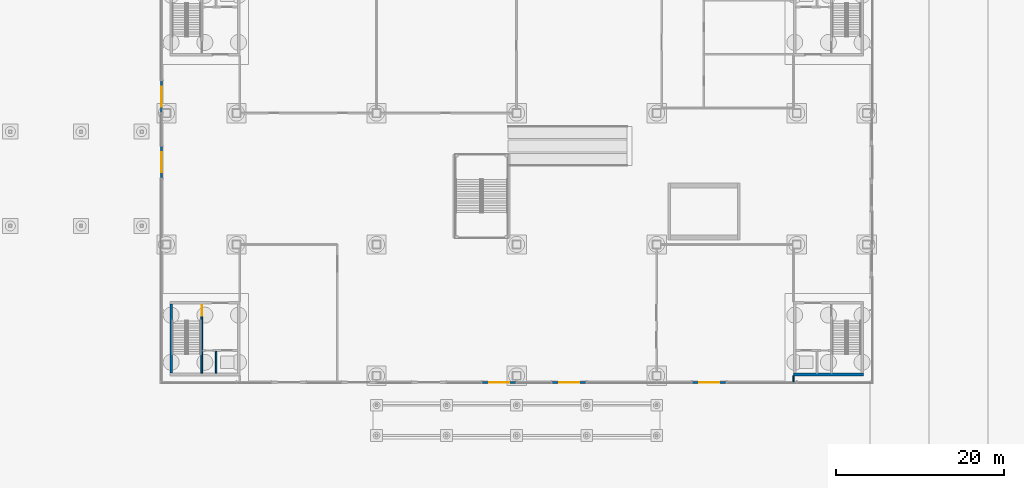
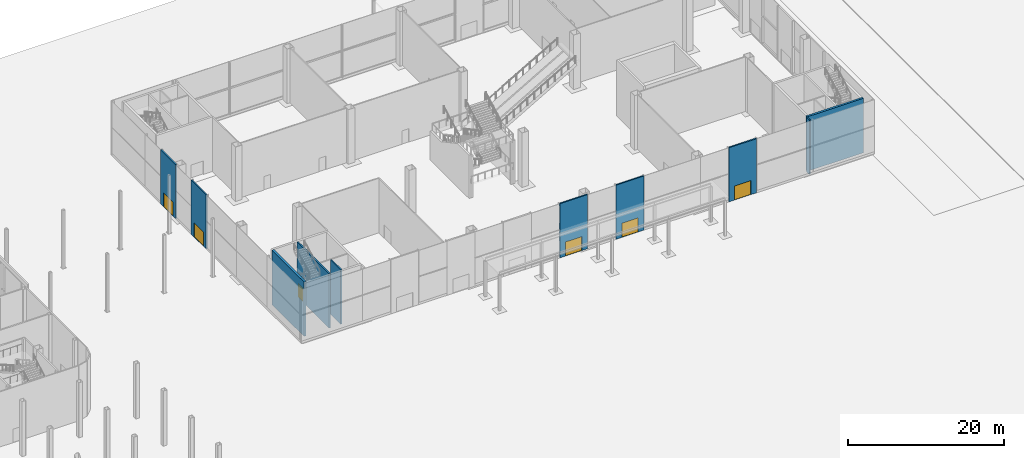
# One storey, part 44 of 113: 10 walls, 6 doors, 6 openings, 2 elements without a shape of their own.
"""IFC4 building model written with IfcOpenShell, lengths in metres."""

from ifc_helpers import new_model, si_unit, direction, frame, frame_2d, origin, place, context, subcontext, project, spatial, rectangle, extrude, material, layer, layer_set, type_object, element, fill, aggregate, save


model = new_model("IFC4")

# Units and contexts
model_context = context("Model", 3, precision=1e-05, world=origin(), true_north=direction((0.0, 1.0)))
body_context = subcontext(model_context, "Body", "Model", "MODEL_VIEW")
ifc_project = project(units=[si_unit("LENGTHUNIT", "METRE"), si_unit("AREAUNIT", "SQUARE_METRE"), si_unit("VOLUMEUNIT", "CUBIC_METRE"), si_unit("PLANEANGLEUNIT", "RADIAN"), si_unit("MASSUNIT", "GRAM", prefix="KILO")], contexts=[model_context])

# Site, building, storey
site_placement = place(None, origin())
site = spatial("IfcSite", under=ifc_project, at=site_placement, CompositionType="ELEMENT")
building_placement = place(site_placement, origin())
building = spatial("IfcBuilding", under=site, at=building_placement, Name="Hakoniwa Tower and Hamabe Station Hall", CompositionType="ELEMENT")
storey_placement = place(building_placement, origin())
storey = spatial("IfcBuildingStorey", under=building, at=storey_placement, Name="L01", CompositionType="ELEMENT", Elevation=0.0)

# Curtain wall, walls, openings, doors
ifc_material_1 = material(Name="Dark low-e laminated glass", Category="glass")
ifc_layer_1 = layer(ifc_material_1, 0.199951171875)
ifc_layer_set_1 = layer_set([ifc_layer_1], Name="CW-7 STATION")
curtain_wall_type = type_object("IfcCurtainWallType", Name="CW-7 STATION", PredefinedType="NOTDEFINED", material=ifc_layer_set_1)
curtain_wall_1_placement = place(storey_placement, origin())
curtain_wall_1 = element("IfcCurtainWall", 1, at=curtain_wall_1_placement, inside=storey, type_object=curtain_wall_type, Name="Station curtain wall L01 south", PredefinedType="NOTDEFINED")
ifc_material_2 = material(Name="Dark glass-faced aluminium panel", Category="aluminium")
ifc_layer_2 = layer(ifc_material_2, 0.199951171875)
ifc_layer_set_2 = layer_set([ifc_layer_2], Name="DOOR BAY WALL")
wall_type_1 = type_object("IfcWallType", Name="DOOR BAY WALL", PredefinedType="NOTDEFINED", material=ifc_layer_set_2)
wall_1_placement = place(storey_placement, frame((123.419921875, -24.199951171875, 0.0), z_axis=(0.0, 0.0, 1.0), x_axis=(1.0, 0.0, 0.0)))
wall_1 = element("IfcWall", 2, at=wall_1_placement, type_object=wall_type_1, Name="Door bay wall", PredefinedType="NOTDEFINED", context=body_context, shape_type="SweptSolid", body=[
    extrude(rectangle(XDim=4.10009765625, YDim=0.199951171875, at=frame_2d((2.050048828125, 0.0))), origin(), (0.0, 0.0, 1.0), 8.449951171875),
])
opening_1_placement = place(wall_1_placement, frame((0.85009765625, 0.0, 0.0)))
opening_1 = element("IfcOpeningElement", 3, at=opening_1_placement, cuts=wall_1, Name="Opening ED-SH-S-04", PredefinedType="OPENING", context=body_context, shape_type="SweptSolid", body=[
    extrude(rectangle(XDim=2.39990234375, YDim=2.199951171875, at=frame_2d((1.199951171875, 1.10009765625))), frame((0.0, 0.10986328125, 0.0), z_axis=(0.0, -1.0, 0.0), x_axis=(1.0, 0.0, 0.0)), (0.0, 0.0, 1.0), 0.219970703125),
])
ifc_material_3 = material(Name="Dark low-e laminated glass", Category="glass")
door_type_1 = type_object("IfcDoorType", Name="BALCONY SLIDING DOOR 2400X2200", OperationType="SLIDING_TO_LEFT", PredefinedType="DOOR", material=ifc_material_3)
door_1_placement = place(opening_1_placement, frame((2.39990234375, 0.0, 0.0), z_axis=(0.0, 0.0, 1.0), x_axis=(-1.0, 0.0, 0.0)))
door_1 = element("IfcDoor", 4, at=door_1_placement, inside=storey, type_object=door_type_1, Name="Entrance door", OperationType="SLIDING_TO_LEFT", OverallHeight=2.199951171875, OverallWidth=2.39990234375, PredefinedType="DOOR", context=body_context, shape_type="SweptSolid", body=[
    extrude(rectangle(XDim=2.39990234375, YDim=2.199951171875, at=frame_2d((1.199951171875, 1.10009765625))), frame((0.0, 0.02490234375, 0.0), z_axis=(0.0, -1.0, 0.0), x_axis=(1.0, 0.0, 0.0)), (0.0, 0.0, 1.0), 0.050048828125),
])
fill(opening_1, door_1)
wall_2_placement = place(storey_placement, frame((131.739990234375, -24.199951171875, 0.0), z_axis=(0.0, 0.0, 1.0), x_axis=(1.0, 0.0, 0.0)))
wall_2 = element("IfcWall", 5, at=wall_2_placement, type_object=wall_type_1, Name="Door bay wall", PredefinedType="NOTDEFINED", context=body_context, shape_type="SweptSolid", body=[
    extrude(rectangle(XDim=4.10009765625, YDim=0.199951171875, at=frame_2d((2.050048828125, 0.0))), origin(), (0.0, 0.0, 1.0), 8.449951171875),
])
opening_2_placement = place(wall_2_placement, frame((0.85009765625, 0.0, 0.0)))
opening_2 = element("IfcOpeningElement", 6, at=opening_2_placement, cuts=wall_2, Name="Opening ED-SH-S-05", PredefinedType="OPENING", context=body_context, shape_type="SweptSolid", body=[
    extrude(rectangle(XDim=2.39990234375, YDim=2.199951171875, at=frame_2d((1.199951171875, 1.10009765625))), frame((0.0, 0.10986328125, 0.0), z_axis=(0.0, -1.0, 0.0), x_axis=(1.0, 0.0, 0.0)), (0.0, 0.0, 1.0), 0.219970703125),
])
door_2_placement = place(opening_2_placement, frame((2.39990234375, 0.0, 0.0), z_axis=(0.0, 0.0, 1.0), x_axis=(-1.0, 0.0, 0.0)))
door_2 = element("IfcDoor", 7, at=door_2_placement, inside=storey, type_object=door_type_1, Name="Entrance door", OperationType="SLIDING_TO_LEFT", OverallHeight=2.199951171875, OverallWidth=2.39990234375, PredefinedType="DOOR", context=body_context, shape_type="SweptSolid", body=[
    extrude(rectangle(XDim=2.39990234375, YDim=2.199951171875, at=frame_2d((1.199951171875, 1.10009765625))), frame((0.0, 0.02490234375, 0.0), z_axis=(0.0, -1.0, 0.0), x_axis=(1.0, 0.0, 0.0)), (0.0, 0.0, 1.0), 0.050048828125),
])
fill(opening_2, door_2)
wall_3_placement = place(storey_placement, frame((148.3798828125, -24.199951171875, 0.0), z_axis=(0.0, 0.0, 1.0), x_axis=(1.0, 0.0, 0.0)))
wall_3 = element("IfcWall", 8, at=wall_3_placement, type_object=wall_type_1, Name="Door bay wall", PredefinedType="NOTDEFINED", context=body_context, shape_type="SweptSolid", body=[
    extrude(rectangle(XDim=4.10009765625, YDim=0.199951171875, at=frame_2d((2.050048828125, 0.0))), origin(), (0.0, 0.0, 1.0), 8.449951171875),
])
opening_3_placement = place(wall_3_placement, frame((0.85009765625, 0.0, 0.0)))
opening_3 = element("IfcOpeningElement", 9, at=opening_3_placement, cuts=wall_3, Name="Opening ED-SH-S-06", PredefinedType="OPENING", context=body_context, shape_type="SweptSolid", body=[
    extrude(rectangle(XDim=2.39990234375, YDim=2.199951171875, at=frame_2d((1.199951171875, 1.10009765625))), frame((0.0, 0.10986328125, 0.0), z_axis=(0.0, -1.0, 0.0), x_axis=(1.0, 0.0, 0.0)), (0.0, 0.0, 1.0), 0.219970703125),
])
door_3_placement = place(opening_3_placement, frame((2.39990234375, 0.0, 0.0), z_axis=(0.0, 0.0, 1.0), x_axis=(-1.0, 0.0, 0.0)))
door_3 = element("IfcDoor", 10, at=door_3_placement, inside=storey, type_object=door_type_1, Name="Entrance door", OperationType="SLIDING_TO_LEFT", OverallHeight=2.199951171875, OverallWidth=2.39990234375, PredefinedType="DOOR", context=body_context, shape_type="SweptSolid", body=[
    extrude(rectangle(XDim=2.39990234375, YDim=2.199951171875, at=frame_2d((1.199951171875, 1.10009765625))), frame((0.0, 0.02490234375, 0.0), z_axis=(0.0, -1.0, 0.0), x_axis=(1.0, 0.0, 0.0)), (0.0, 0.0, 1.0), 0.050048828125),
])
fill(opening_3, door_3)
aggregate(curtain_wall_1, [wall_1, wall_2, wall_3])

curtain_wall_2_placement = place(storey_placement, origin())
curtain_wall_2 = element("IfcCurtainWall", 11, at=curtain_wall_2_placement, inside=storey, type_object=curtain_wall_type, Name="Station curtain wall L01 west", PredefinedType="NOTDEFINED")
wall_4_placement = place(storey_placement, frame((85.35009765625, 11.669921875, 0.0), z_axis=(0.0, 0.0, 1.0), x_axis=(0.0, -1.0, 0.0)))
wall_4 = element("IfcWall", 12, at=wall_4_placement, type_object=wall_type_1, Name="Door bay wall", PredefinedType="NOTDEFINED", context=body_context, shape_type="SweptSolid", body=[
    extrude(rectangle(XDim=3.83984375, YDim=0.199951171875, at=frame_2d((1.919921875, 0.0))), origin(), (0.0, 0.0, 1.0), 8.449951171875),
])
opening_4_placement = place(wall_4_placement, frame((0.719970703125, 0.0, 0.0)))
opening_4 = element("IfcOpeningElement", 13, at=opening_4_placement, cuts=wall_4, Name="Opening ED-SH-W-01", PredefinedType="OPENING", context=body_context, shape_type="SweptSolid", body=[
    extrude(rectangle(XDim=2.39990234375, YDim=2.199951171875, at=frame_2d((1.199951171875, 1.10009765625))), frame((0.0, 0.10986328125, 0.0), z_axis=(0.0, -1.0, 0.0), x_axis=(1.0, 0.0, 0.0)), (0.0, 0.0, 1.0), 0.219970703125),
])
door_4_placement = place(opening_4_placement, frame((2.39990234375, 0.0, 0.0), z_axis=(0.0, 0.0, 1.0), x_axis=(-1.0, 0.0, 0.0)))
door_4 = element("IfcDoor", 14, at=door_4_placement, inside=storey, type_object=door_type_1, Name="Entrance door", OperationType="SLIDING_TO_LEFT", OverallHeight=2.199951171875, OverallWidth=2.39990234375, PredefinedType="DOOR", context=body_context, shape_type="SweptSolid", body=[
    extrude(rectangle(XDim=2.39990234375, YDim=2.199951171875, at=frame_2d((1.199951171875, 1.10009765625))), frame((0.0, 0.02490234375, 0.0), z_axis=(0.0, -1.0, 0.0), x_axis=(1.0, 0.0, 0.0)), (0.0, 0.0, 1.0), 0.050048828125),
])
fill(opening_4, door_4)
wall_5_placement = place(storey_placement, frame((85.35009765625, 3.8701171875, 0.0), z_axis=(0.0, 0.0, 1.0), x_axis=(0.0, -1.0, 0.0)))
wall_5 = element("IfcWall", 15, at=wall_5_placement, type_object=wall_type_1, Name="Door bay wall", PredefinedType="NOTDEFINED", context=body_context, shape_type="SweptSolid", body=[
    extrude(rectangle(XDim=3.840087890625, YDim=0.199951171875, at=frame_2d((1.919921875, 0.0))), origin(), (0.0, 0.0, 1.0), 8.449951171875),
])
opening_5_placement = place(wall_5_placement, frame((0.719970703125, 0.0, 0.0)))
opening_5 = element("IfcOpeningElement", 16, at=opening_5_placement, cuts=wall_5, Name="Opening ED-SH-W-02", PredefinedType="OPENING", context=body_context, shape_type="SweptSolid", body=[
    extrude(rectangle(XDim=2.39990234375, YDim=2.199951171875, at=frame_2d((1.199951171875, 1.10009765625))), frame((0.0, 0.10986328125, 0.0), z_axis=(0.0, -1.0, 0.0), x_axis=(1.0, 0.0, 0.0)), (0.0, 0.0, 1.0), 0.219970703125),
])
door_5_placement = place(opening_5_placement, frame((2.39990234375, 0.0, 0.0), z_axis=(0.0, 0.0, 1.0), x_axis=(-1.0, 0.0, 0.0)))
door_5 = element("IfcDoor", 17, at=door_5_placement, inside=storey, type_object=door_type_1, Name="Entrance door", OperationType="SLIDING_TO_LEFT", OverallHeight=2.199951171875, OverallWidth=2.39990234375, PredefinedType="DOOR", context=body_context, shape_type="SweptSolid", body=[
    extrude(rectangle(XDim=2.39990234375, YDim=2.199951171875, at=frame_2d((1.199951171875, 1.10009765625))), frame((0.0, 0.02490234375, 0.0), z_axis=(0.0, -1.0, 0.0), x_axis=(1.0, 0.0, 0.0)), (0.0, 0.0, 1.0), 0.050048828125),
])
fill(opening_5, door_5)
aggregate(curtain_wall_2, [wall_4, wall_5])

# Wall
ifc_material_4 = material(Name="Fire-rated gypsum board partition")
ifc_layer_3 = layer(ifc_material_4, 0.14990234375)
ifc_layer_set_3 = layer_set([ifc_layer_3], Name="FIRE PARTITION 150 EI 60")
wall_type_2 = type_object("IfcWallType", Name="FIRE PARTITION 150 EI 60", PredefinedType="PARTITIONING", material=ifc_layer_set_3)
wall_6_placement = place(storey_placement, frame((160.429931640625, -24.10009765625, 0.0), z_axis=(0.0, 0.0, 1.0), x_axis=(0.0, 1.0, 0.0)))
element("IfcWall", 18, at=wall_6_placement, inside=storey, type_object=wall_type_2, Name="Partition L01 17", PredefinedType="PARTITIONING", context=body_context, shape_type="SweptSolid", body=[
    extrude(rectangle(XDim=0.7001953125, YDim=0.14990234375, at=frame_2d((0.35009765625, 0.0))), origin(), (0.0, 0.0, 1.0), 8.5),
])

# Wall, opening, door
ifc_material_5 = material(Name="Concrete C60", Category="concrete")
ifc_layer_4 = layer(ifc_material_5, 0.199951171875)
ifc_layer_set_4 = layer_set([ifc_layer_4], Name="RC WALL 200 EI 120 C60")
wall_type_3 = type_object("IfcWallType", Name="RC WALL 200 EI 120 C60", PredefinedType="SHEAR", material=ifc_layer_set_4)
wall_7_placement = place(storey_placement, frame((90.14990234375, -23.10009765625, 0.0), z_axis=(0.0, 0.0, 1.0), x_axis=(0.0, 1.0, 0.0)))
wall_7 = element("IfcWall", 19, at=wall_7_placement, inside=storey, type_object=wall_type_3, Name="Station stair wall SC3 L01", PredefinedType="SHEAR", context=body_context, shape_type="SweptSolid", body=[
    extrude(rectangle(XDim=8.2001953125, YDim=0.199951171875, at=frame_2d((4.10009765625, 0.0))), origin(), (0.0, 0.0, 1.0), 8.5),
])
opening_6_placement = place(wall_7_placement, frame((6.85009765625, 0.0, 0.0)))
opening_6 = element("IfcOpeningElement", 20, at=opening_6_placement, cuts=wall_7, Name="Opening SD-L01-019", PredefinedType="OPENING", context=body_context, shape_type="SweptSolid", body=[
    extrude(rectangle(XDim=1.199951171875, YDim=2.10009765625, at=frame_2d((0.60009765625, 1.050048828125))), frame((0.0, 0.10986328125, 0.0), z_axis=(0.0, -1.0, 0.0), x_axis=(1.0, 0.0, 0.0)), (0.0, 0.0, 1.0), 0.219970703125),
])
ifc_material_6 = material(Name="Steel fire door", Category="steel")
door_type_2 = type_object("IfcDoorType", Name="FIRE DOOR 1200X2100 FD60", OperationType="SINGLE_SWING_LEFT", PredefinedType="DOOR", material=ifc_material_6)
door_6_placement = place(opening_6_placement, frame((1.199951171875, 0.0, 0.0), z_axis=(0.0, 0.0, 1.0), x_axis=(-1.0, 0.0, 0.0)))
door_6 = element("IfcDoor", 21, at=door_6_placement, inside=storey, type_object=door_type_2, Name="Door escape stair SC3", OperationType="SINGLE_SWING_LEFT", OverallHeight=2.10009765625, OverallWidth=1.199951171875, PredefinedType="DOOR", context=body_context, shape_type="SweptSolid", body=[
    extrude(rectangle(XDim=1.199951171875, YDim=2.10009765625, at=frame_2d((0.60009765625, 1.050048828125))), frame((0.0, 0.02490234375, 0.0), z_axis=(0.0, -1.0, 0.0), x_axis=(1.0, 0.0, 0.0)), (0.0, 0.0, 1.0), 0.050048828125),
])
fill(opening_6, door_6)

# Walls
ifc_material_7 = material(Name="Concrete C60", Category="concrete")
ifc_layer_5 = layer(ifc_material_7, 0.199951171875)
ifc_layer_set_5 = layer_set([ifc_layer_5], Name="RC WALL 200 EI 60 C60")
wall_type_4 = type_object("IfcWallType", Name="RC WALL 200 EI 60 C60", PredefinedType="SHEAR", material=ifc_layer_set_5)
wall_8_placement = place(storey_placement, frame((91.85009765625, -23.10009765625, 0.0), z_axis=(0.0, 0.0, 1.0), x_axis=(0.0, 1.0, 0.0)))
element("IfcWall", 22, at=wall_8_placement, inside=storey, type_object=wall_type_4, Name="Station hoistway wall SC3 L01", PredefinedType="SHEAR", context=body_context, shape_type="SweptSolid", body=[
    extrude(rectangle(XDim=2.60009765625, YDim=0.199951171875, at=frame_2d((1.300048828125, 0.0))), origin(), (0.0, 0.0, 1.0), 8.5),
])
ifc_material_8 = material(Name="Concrete C60", Category="concrete")
ifc_layer_6 = layer(ifc_material_8, 0.300048828125)
ifc_layer_set_6 = layer_set([ifc_layer_6], Name="RC WALL 300 EI 120 C60")
wall_type_5 = type_object("IfcWallType", Name="RC WALL 300 EI 120 C60", PredefinedType="SHEAR", material=ifc_layer_set_6)
wall_9_placement = place(storey_placement, frame((86.5, -23.10009765625, 0.0), z_axis=(0.0, 0.0, 1.0), x_axis=(0.0, 1.0, 0.0)))
element("IfcWall", 23, at=wall_9_placement, inside=storey, type_object=wall_type_5, Name="Station core wall SC3 outer-u L01", PredefinedType="SHEAR", context=body_context, shape_type="SweptSolid", body=[
    extrude(rectangle(XDim=8.2001953125, YDim=0.300048828125, at=frame_2d((4.10009765625, 0.0))), origin(), (0.0, 0.0, 1.0), 8.5),
])
wall_10_placement = place(storey_placement, frame((168.75, -23.25, 0.0), z_axis=(0.0, 0.0, 1.0), x_axis=(-1.0, 0.0, 0.0)))
element("IfcWall", 24, at=wall_10_placement, inside=storey, type_object=wall_type_5, Name="Station core wall SC4 outer-v L01", PredefinedType="SHEAR", context=body_context, shape_type="SweptSolid", body=[
    extrude(rectangle(XDim=8.320068359375, YDim=0.300048828125, at=frame_2d((4.16015625, 0.0))), origin(), (0.0, 0.0, 1.0), 8.5),
])

save(model, "model.ifc")
